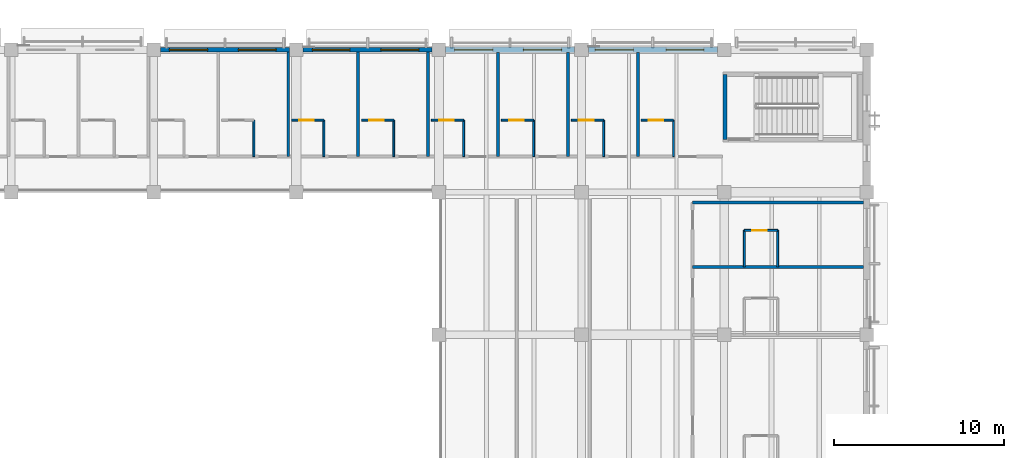
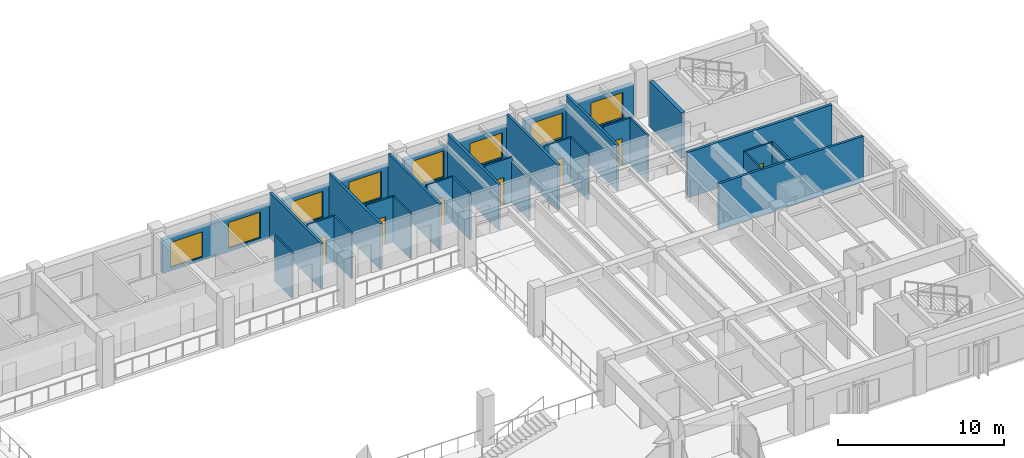
# One storey, part 82 of 118: 29 walls, 8 windows, 7 doors, 15 openings.
"""IFC4 building model written with IfcOpenShell, lengths in metres."""

from ifc_helpers import new_model, si_unit, direction, frame, frame_2d, origin, place, context, subcontext, project, spatial, rectangle, extrude, material, layer, layer_set, type_object, element, fill, save


model = new_model("IFC4")

# Units and contexts
model_context = context("Model", 3, precision=1e-05, world=origin(), true_north=direction((0.0, 1.0)))
body_context = subcontext(model_context, "Body", "Model", "MODEL_VIEW")
ifc_project = project(units=[si_unit("LENGTHUNIT", "METRE"), si_unit("AREAUNIT", "SQUARE_METRE"), si_unit("VOLUMEUNIT", "CUBIC_METRE"), si_unit("PLANEANGLEUNIT", "RADIAN"), si_unit("MASSUNIT", "GRAM", prefix="KILO")], contexts=[model_context])

# Site, building, storey
site_placement = place(None, origin())
site = spatial("IfcSite", under=ifc_project, at=site_placement, CompositionType="ELEMENT")
building_placement = place(site_placement, origin())
building = spatial("IfcBuilding", under=site, at=building_placement, Name="Cumbredor Promenade Congress Hotel", CompositionType="ELEMENT")
storey_placement = place(building_placement, frame((0.0, 0.0, 3.919921875)))
storey = spatial("IfcBuildingStorey", under=building, at=storey_placement, Name="L01", CompositionType="ELEMENT", Elevation=3.919921875)

# Wall
ifc_material_1 = material(Name="Moisture-resistant gypsum board on steel studs", Category="steel")
ifc_layer_1 = layer(ifc_material_1, 0.114990234375, Name="Moisture-resistant gypsum board on steel studs", Category="steel")
ifc_layer_set_1 = layer_set([ifc_layer_1], Name="Moisture-resistant gypsum board on steel studs")
wall_type_1 = type_object("IfcWallType", Name="WL-BATH-115", PredefinedType="PARTITIONING", material=ifc_layer_set_1)
wall_1_placement = place(storey_placement, frame((140.300048828125, 111.300048828125, 0.0), z_axis=(0.0, 0.0, 1.0), x_axis=(0.0, 1.0, 0.0)))
element("IfcWall", 1, at=wall_1_placement, inside=storey, type_object=wall_type_1, Name="L01 Interior Partition W-L01-FBV-F0106", PredefinedType="PARTITIONING", context=body_context, shape_type="SweptSolid", body=[
    extrude(rectangle(XDim=2.14990234375, YDim=0.114990234375, at=frame_2d((1.074951171875, 0.0))), origin(), (0.0, 0.0, 1.0), 3.360107421875),
])

# Wall, opening, door
wall_2_placement = place(storey_placement, frame((142.52001953125, 113.449951171875, 0.0), z_axis=(0.0, 0.0, 1.0), x_axis=(1.0, 0.0, 0.0)))
wall_2 = element("IfcWall", 2, at=wall_2_placement, inside=storey, type_object=wall_type_1, Name="L01 Interior Partition W-L01-FBH-F0107", PredefinedType="PARTITIONING", context=body_context, shape_type="SweptSolid", body=[
    extrude(rectangle(XDim=1.89990234375, YDim=0.114990234375, at=frame_2d((0.949951171875, 0.0))), origin(), (0.0, 0.0, 1.0), 3.360107421875),
])
opening_1_placement = place(wall_2_placement, frame((0.449951171875, 0.0, 0.0)))
opening_1 = element("IfcOpeningElement", 3, at=opening_1_placement, cuts=wall_2, Name="Opening ID-01", PredefinedType="OPENING", context=body_context, shape_type="SweptSolid", body=[
    extrude(rectangle(XDim=0.860107421875, YDim=2.050048828125, at=frame_2d((0.43017578125, 1.02490234375))), frame((0.0, 0.0673828125, 0.0), z_axis=(0.0, -1.0, 0.0), x_axis=(1.0, 0.0, 0.0)), (0.0, 0.0, 1.0), 0.135009765625),
])
ifc_material_2 = material(Name="Kiln-dried tropical hardwood", Category="wood")
door_type = type_object("IfcDoorType", Name="DR-BATH-860", OperationType="NOTDEFINED", PredefinedType="DOOR", material=ifc_material_2)
door_1_placement = place(opening_1_placement, origin())
door_1 = element("IfcDoor", 4, at=door_1_placement, inside=storey, type_object=door_type, Name="L01 Interior Door W-L01-FBH-F0107-01", OperationType="SINGLE_SWING_LEFT", OverallHeight=2.050048828125, OverallWidth=0.860107421875, PredefinedType="DOOR", context=body_context, shape_type="SweptSolid", body=[
    extrude(rectangle(XDim=0.860107421875, YDim=2.050048828125, at=frame_2d((0.43017578125, 1.02490234375))), frame((0.0, 0.02490234375, 0.0), z_axis=(0.0, -1.0, 0.0), x_axis=(1.0, 0.0, 0.0)), (0.0, 0.0, 1.0), 0.050048828125),
])
fill(opening_1, door_1)

# Wall
wall_3_placement = place(storey_placement, frame((144.419921875, 111.300048828125, 0.0), z_axis=(0.0, 0.0, 1.0), x_axis=(0.0, 1.0, 0.0)))
element("IfcWall", 5, at=wall_3_placement, inside=storey, type_object=wall_type_1, Name="L01 Interior Partition W-L01-FBV-F0107", PredefinedType="PARTITIONING", context=body_context, shape_type="SweptSolid", body=[
    extrude(rectangle(XDim=2.14990234375, YDim=0.114990234375, at=frame_2d((1.074951171875, 0.0))), origin(), (0.0, 0.0, 1.0), 3.360107421875),
])

# Wall, opening, door
wall_4_placement = place(storey_placement, frame((146.639892578125, 113.449951171875, 0.0), z_axis=(0.0, 0.0, 1.0), x_axis=(1.0, 0.0, 0.0)))
wall_4 = element("IfcWall", 6, at=wall_4_placement, inside=storey, type_object=wall_type_1, Name="L01 Interior Partition W-L01-FBH-F0108", PredefinedType="PARTITIONING", context=body_context, shape_type="SweptSolid", body=[
    extrude(rectangle(XDim=1.900146484375, YDim=0.114990234375, at=frame_2d((0.9501953125, 0.0))), origin(), (0.0, 0.0, 1.0), 3.360107421875),
])
opening_2_placement = place(wall_4_placement, frame((0.449951171875, 0.0, 0.0)))
opening_2 = element("IfcOpeningElement", 7, at=opening_2_placement, cuts=wall_4, Name="Opening ID-01", PredefinedType="OPENING", context=body_context, shape_type="SweptSolid", body=[
    extrude(rectangle(XDim=0.860107421875, YDim=2.050048828125, at=frame_2d((0.43017578125, 1.02490234375))), frame((0.0, 0.0673828125, 0.0), z_axis=(0.0, -1.0, 0.0), x_axis=(1.0, 0.0, 0.0)), (0.0, 0.0, 1.0), 0.135009765625),
])
door_2_placement = place(opening_2_placement, origin())
door_2 = element("IfcDoor", 8, at=door_2_placement, inside=storey, type_object=door_type, Name="L01 Interior Door W-L01-FBH-F0108-01", OperationType="SINGLE_SWING_RIGHT", OverallHeight=2.050048828125, OverallWidth=0.860107421875, PredefinedType="DOOR", context=body_context, shape_type="SweptSolid", body=[
    extrude(rectangle(XDim=0.860107421875, YDim=2.050048828125, at=frame_2d((0.43017578125, 1.02490234375))), frame((0.0, 0.02490234375, 0.0), z_axis=(0.0, -1.0, 0.0), x_axis=(1.0, 0.0, 0.0)), (0.0, 0.0, 1.0), 0.050048828125),
])
fill(opening_2, door_2)

# Wall
wall_5_placement = place(storey_placement, frame((148.5400390625, 111.300048828125, 0.0), z_axis=(0.0, 0.0, 1.0), x_axis=(0.0, 1.0, 0.0)))
element("IfcWall", 9, at=wall_5_placement, inside=storey, type_object=wall_type_1, Name="L01 Interior Partition W-L01-FBV-F0108", PredefinedType="PARTITIONING", context=body_context, shape_type="SweptSolid", body=[
    extrude(rectangle(XDim=2.14990234375, YDim=0.114990234375, at=frame_2d((1.074951171875, 0.0))), origin(), (0.0, 0.0, 1.0), 3.360107421875),
])

# Wall, opening, door
wall_6_placement = place(storey_placement, frame((150.760009765625, 113.449951171875, 0.0), z_axis=(0.0, 0.0, 1.0), x_axis=(1.0, 0.0, 0.0)))
wall_6 = element("IfcWall", 10, at=wall_6_placement, inside=storey, type_object=wall_type_1, Name="L01 Interior Partition W-L01-FBH-F0109", PredefinedType="PARTITIONING", context=body_context, shape_type="SweptSolid", body=[
    extrude(rectangle(XDim=1.89990234375, YDim=0.114990234375, at=frame_2d((0.949951171875, 0.0))), origin(), (0.0, 0.0, 1.0), 3.360107421875),
])
opening_3_placement = place(wall_6_placement, frame((0.449951171875, 0.0, 0.0)))
opening_3 = element("IfcOpeningElement", 11, at=opening_3_placement, cuts=wall_6, Name="Opening ID-01", PredefinedType="OPENING", context=body_context, shape_type="SweptSolid", body=[
    extrude(rectangle(XDim=0.860107421875, YDim=2.050048828125, at=frame_2d((0.43017578125, 1.02490234375))), frame((0.0, 0.0673828125, 0.0), z_axis=(0.0, -1.0, 0.0), x_axis=(1.0, 0.0, 0.0)), (0.0, 0.0, 1.0), 0.135009765625),
])
door_3_placement = place(opening_3_placement, origin())
door_3 = element("IfcDoor", 12, at=door_3_placement, inside=storey, type_object=door_type, Name="L01 Interior Door W-L01-FBH-F0109-01", OperationType="SINGLE_SWING_LEFT", OverallHeight=2.050048828125, OverallWidth=0.860107421875, PredefinedType="DOOR", context=body_context, shape_type="SweptSolid", body=[
    extrude(rectangle(XDim=0.860107421875, YDim=2.050048828125, at=frame_2d((0.43017578125, 1.02490234375))), frame((0.0, 0.02490234375, 0.0), z_axis=(0.0, -1.0, 0.0), x_axis=(1.0, 0.0, 0.0)), (0.0, 0.0, 1.0), 0.050048828125),
])
fill(opening_3, door_3)

# Wall
wall_7_placement = place(storey_placement, frame((152.659912109375, 111.300048828125, 0.0), z_axis=(0.0, 0.0, 1.0), x_axis=(0.0, 1.0, 0.0)))
element("IfcWall", 13, at=wall_7_placement, inside=storey, type_object=wall_type_1, Name="L01 Interior Partition W-L01-FBV-F0109", PredefinedType="PARTITIONING", context=body_context, shape_type="SweptSolid", body=[
    extrude(rectangle(XDim=2.14990234375, YDim=0.114990234375, at=frame_2d((1.074951171875, 0.0))), origin(), (0.0, 0.0, 1.0), 3.360107421875),
])

# Wall, opening, door
wall_8_placement = place(storey_placement, frame((154.8798828125, 113.449951171875, 0.0), z_axis=(0.0, 0.0, 1.0), x_axis=(1.0, 0.0, 0.0)))
wall_8 = element("IfcWall", 14, at=wall_8_placement, inside=storey, type_object=wall_type_1, Name="L01 Interior Partition W-L01-FBH-F0110", PredefinedType="PARTITIONING", context=body_context, shape_type="SweptSolid", body=[
    extrude(rectangle(XDim=1.900146484375, YDim=0.114990234375, at=frame_2d((0.9501953125, 0.0))), origin(), (0.0, 0.0, 1.0), 3.360107421875),
])
opening_4_placement = place(wall_8_placement, frame((0.449951171875, 0.0, 0.0)))
opening_4 = element("IfcOpeningElement", 15, at=opening_4_placement, cuts=wall_8, Name="Opening ID-01", PredefinedType="OPENING", context=body_context, shape_type="SweptSolid", body=[
    extrude(rectangle(XDim=0.860107421875, YDim=2.050048828125, at=frame_2d((0.43017578125, 1.02490234375))), frame((0.0, 0.0673828125, 0.0), z_axis=(0.0, -1.0, 0.0), x_axis=(1.0, 0.0, 0.0)), (0.0, 0.0, 1.0), 0.135009765625),
])
door_4_placement = place(opening_4_placement, origin())
door_4 = element("IfcDoor", 16, at=door_4_placement, inside=storey, type_object=door_type, Name="L01 Interior Door W-L01-FBH-F0110-01", OperationType="SINGLE_SWING_RIGHT", OverallHeight=2.050048828125, OverallWidth=0.860107421875, PredefinedType="DOOR", context=body_context, shape_type="SweptSolid", body=[
    extrude(rectangle(XDim=0.860107421875, YDim=2.050048828125, at=frame_2d((0.43017578125, 1.02490234375))), frame((0.0, 0.02490234375, 0.0), z_axis=(0.0, -1.0, 0.0), x_axis=(1.0, 0.0, 0.0)), (0.0, 0.0, 1.0), 0.050048828125),
])
fill(opening_4, door_4)

# Wall
wall_9_placement = place(storey_placement, frame((156.780029296875, 111.300048828125, 0.0), z_axis=(0.0, 0.0, 1.0), x_axis=(0.0, 1.0, 0.0)))
element("IfcWall", 17, at=wall_9_placement, inside=storey, type_object=wall_type_1, Name="L01 Interior Partition W-L01-FBV-F0110", PredefinedType="PARTITIONING", context=body_context, shape_type="SweptSolid", body=[
    extrude(rectangle(XDim=2.14990234375, YDim=0.114990234375, at=frame_2d((1.074951171875, 0.0))), origin(), (0.0, 0.0, 1.0), 3.0419921875),
])

# Wall, opening, door
wall_10_placement = place(storey_placement, frame((159.0, 113.449951171875, 0.0), z_axis=(0.0, 0.0, 1.0), x_axis=(1.0, 0.0, 0.0)))
wall_10 = element("IfcWall", 18, at=wall_10_placement, inside=storey, type_object=wall_type_1, Name="L01 Interior Partition W-L01-FBH-F0111", PredefinedType="PARTITIONING", context=body_context, shape_type="SweptSolid", body=[
    extrude(rectangle(XDim=1.89990234375, YDim=0.114990234375, at=frame_2d((0.949951171875, 0.0))), origin(), (0.0, 0.0, 1.0), 3.360107421875),
])
opening_5_placement = place(wall_10_placement, frame((0.449951171875, 0.0, 0.0)))
opening_5 = element("IfcOpeningElement", 19, at=opening_5_placement, cuts=wall_10, Name="Opening ID-01", PredefinedType="OPENING", context=body_context, shape_type="SweptSolid", body=[
    extrude(rectangle(XDim=0.860107421875, YDim=2.050048828125, at=frame_2d((0.43017578125, 1.02490234375))), frame((0.0, 0.0673828125, 0.0), z_axis=(0.0, -1.0, 0.0), x_axis=(1.0, 0.0, 0.0)), (0.0, 0.0, 1.0), 0.135009765625),
])
door_5_placement = place(opening_5_placement, origin())
door_5 = element("IfcDoor", 20, at=door_5_placement, inside=storey, type_object=door_type, Name="L01 Interior Door W-L01-FBH-F0111-01", OperationType="SINGLE_SWING_LEFT", OverallHeight=2.050048828125, OverallWidth=0.860107421875, PredefinedType="DOOR", context=body_context, shape_type="SweptSolid", body=[
    extrude(rectangle(XDim=0.860107421875, YDim=2.050048828125, at=frame_2d((0.43017578125, 1.02490234375))), frame((0.0, 0.02490234375, 0.0), z_axis=(0.0, -1.0, 0.0), x_axis=(1.0, 0.0, 0.0)), (0.0, 0.0, 1.0), 0.050048828125),
])
fill(opening_5, door_5)

# Wall
wall_11_placement = place(storey_placement, frame((160.89990234375, 111.300048828125, 0.0), z_axis=(0.0, 0.0, 1.0), x_axis=(0.0, 1.0, 0.0)))
element("IfcWall", 21, at=wall_11_placement, inside=storey, type_object=wall_type_1, Name="L01 Interior Partition W-L01-FBV-F0111", PredefinedType="PARTITIONING", context=body_context, shape_type="SweptSolid", body=[
    extrude(rectangle(XDim=2.14990234375, YDim=0.114990234375, at=frame_2d((1.074951171875, 0.0))), origin(), (0.0, 0.0, 1.0), 3.360107421875),
])

# Wall, opening, door
wall_12_placement = place(storey_placement, frame((163.1201171875, 113.449951171875, 0.0), z_axis=(0.0, 0.0, 1.0), x_axis=(1.0, 0.0, 0.0)))
wall_12 = element("IfcWall", 22, at=wall_12_placement, inside=storey, type_object=wall_type_1, Name="L01 Interior Partition W-L01-FBH-F0112", PredefinedType="PARTITIONING", context=body_context, shape_type="SweptSolid", body=[
    extrude(rectangle(XDim=1.89990234375, YDim=0.114990234375, at=frame_2d((0.949951171875, 0.0))), origin(), (0.0, 0.0, 1.0), 3.360107421875),
])
opening_6_placement = place(wall_12_placement, frame((0.449951171875, 0.0, 0.0)))
opening_6 = element("IfcOpeningElement", 23, at=opening_6_placement, cuts=wall_12, Name="Opening ID-01", PredefinedType="OPENING", context=body_context, shape_type="SweptSolid", body=[
    extrude(rectangle(XDim=0.860107421875, YDim=2.050048828125, at=frame_2d((0.43017578125, 1.02490234375))), frame((0.0, 0.0673828125, 0.0), z_axis=(0.0, -1.0, 0.0), x_axis=(1.0, 0.0, 0.0)), (0.0, 0.0, 1.0), 0.135009765625),
])
door_6_placement = place(opening_6_placement, origin())
door_6 = element("IfcDoor", 24, at=door_6_placement, inside=storey, type_object=door_type, Name="L01 Interior Door W-L01-FBH-F0112-01", OperationType="SINGLE_SWING_RIGHT", OverallHeight=2.050048828125, OverallWidth=0.860107421875, PredefinedType="DOOR", context=body_context, shape_type="SweptSolid", body=[
    extrude(rectangle(XDim=0.860107421875, YDim=2.050048828125, at=frame_2d((0.43017578125, 1.02490234375))), frame((0.0, 0.02490234375, 0.0), z_axis=(0.0, -1.0, 0.0), x_axis=(1.0, 0.0, 0.0)), (0.0, 0.0, 1.0), 0.050048828125),
])
fill(opening_6, door_6)

# Wall
wall_13_placement = place(storey_placement, frame((165.02001953125, 111.300048828125, 0.0), z_axis=(0.0, 0.0, 1.0), x_axis=(0.0, 1.0, 0.0)))
element("IfcWall", 25, at=wall_13_placement, inside=storey, type_object=wall_type_1, Name="L01 Interior Partition W-L01-FBV-F0112", PredefinedType="PARTITIONING", context=body_context, shape_type="SweptSolid", body=[
    extrude(rectangle(XDim=2.14990234375, YDim=0.114990234375, at=frame_2d((1.074951171875, 0.0))), origin(), (0.0, 0.0, 1.0), 3.360107421875),
])

# Wall, opening, door
wall_14_placement = place(storey_placement, frame((169.199951171875, 106.949951171875, 0.0), z_axis=(0.0, 0.0, 1.0), x_axis=(1.0, 0.0, 0.0)))
wall_14 = element("IfcWall", 26, at=wall_14_placement, inside=storey, type_object=wall_type_1, Name="L01 Interior Partition W-L01-FEBH-E0103", PredefinedType="PARTITIONING", context=body_context, shape_type="SweptSolid", body=[
    extrude(rectangle(XDim=1.949951171875, YDim=0.114990234375, at=frame_2d((0.97509765625, 0.0))), origin(), (0.0, 0.0, 1.0), 3.360107421875),
])
opening_7_placement = place(wall_14_placement, frame((0.449951171875, 0.0, 0.0)))
opening_7 = element("IfcOpeningElement", 27, at=opening_7_placement, cuts=wall_14, Name="Opening ID-01", PredefinedType="OPENING", context=body_context, shape_type="SweptSolid", body=[
    extrude(rectangle(XDim=0.860107421875, YDim=2.050048828125, at=frame_2d((0.43017578125, 1.02490234375))), frame((0.0, 0.0673828125, 0.0), z_axis=(0.0, -1.0, 0.0), x_axis=(1.0, 0.0, 0.0)), (0.0, 0.0, 1.0), 0.135009765625),
])
door_7_placement = place(opening_7_placement, origin())
door_7 = element("IfcDoor", 28, at=door_7_placement, inside=storey, type_object=door_type, Name="L01 Interior Door W-L01-FEBH-E0103-01", OperationType="SINGLE_SWING_LEFT", OverallHeight=2.050048828125, OverallWidth=0.860107421875, PredefinedType="DOOR", context=body_context, shape_type="SweptSolid", body=[
    extrude(rectangle(XDim=0.860107421875, YDim=2.050048828125, at=frame_2d((0.43017578125, 1.02490234375))), frame((0.0, 0.02490234375, 0.0), z_axis=(0.0, -1.0, 0.0), x_axis=(1.0, 0.0, 0.0)), (0.0, 0.0, 1.0), 0.050048828125),
])
fill(opening_7, door_7)

# Walls
for number, where, z_axis, x_axis, name in (
    (29, (169.199951171875, 104.800048828125, 0.0), (0.0, 0.0, 1.0), (0.0, 1.0, 0.0), "L01 Interior Partition W-L01-FEBV1-E0103"),
    (30, (171.14990234375, 104.800048828125, 0.0), (0.0, 0.0, 1.0), (0.0, 1.0, 0.0), "L01 Interior Partition W-L01-FEBV2-E0103"),
):
    element("IfcWall", number, at=place(storey_placement, frame(where, z_axis=z_axis, x_axis=x_axis)), inside=storey, type_object=wall_type_1, Name=name, PredefinedType="PARTITIONING", context=body_context, shape_type="SweptSolid", body=[
        extrude(rectangle(XDim=2.14990234375, YDim=0.114990234375, at=frame_2d((1.074951171875, 0.0))), origin(), (0.0, 0.0, 1.0), 3.360107421875),
    ])
ifc_material_3 = material(Name="Fire-rated hotel corridor wall")
ifc_layer_2 = layer(ifc_material_3, 0.179931640625, Name="Fire-rated hotel corridor wall")
ifc_layer_set_2 = layer_set([ifc_layer_2], Name="Fire-rated hotel corridor wall")
wall_type_2 = type_object("IfcWallType", Name="WL-CORR-180", PredefinedType="PARTITIONING", material=ifc_layer_set_2)
wall_15_placement = place(storey_placement, frame((166.14990234375, 108.60009765625, 0.0), z_axis=(0.0, 0.0, 1.0), x_axis=(1.0, 0.0, 0.0)))
element("IfcWall", 31, at=wall_15_placement, inside=storey, type_object=wall_type_2, Name="L01 Interior Partition W-L01-FECORRN", PredefinedType="PARTITIONING", context=body_context, shape_type="SweptSolid", body=[
    extrude(rectangle(XDim=10.06005859375, YDim=0.179931640625, at=frame_2d((5.030029296875, 0.0))), origin(), (0.0, 0.0, 1.0), 3.360107421875),
])

# Wall, openings, windows
ifc_material_4 = material(Name="Concrete C40/50", Category="concrete")
ifc_layer_3 = layer(ifc_material_4, 0.260009765625, Name="Concrete C40/50", Category="concrete")
ifc_layer_set_3 = layer_set([ifc_layer_3], Name="Concrete C40/50")
wall_type_3 = type_object("IfcWallType", Name="WL-EXT-260", PredefinedType="SOLIDWALL", material=ifc_layer_set_3)
wall_16_placement = place(storey_placement, frame((134.801025390625, 117.60009765625, 0.0), z_axis=(0.0, 0.0, 1.0), x_axis=(1.0, 0.0, 0.0)))
wall_16 = element("IfcWall", 32, at=wall_16_placement, inside=storey, type_object=wall_type_3, Name="L01 Pre-Function and Breakout Meeting Forum North Envelope Wall 6", PredefinedType="SOLIDWALL", context=body_context, shape_type="SweptSolid", body=[
    extrude(rectangle(XDim=7.597900390625, YDim=0.260009765625, at=frame_2d((3.798828125, 0.0))), origin(), (0.0, 0.0, 1.0), 2.445068359375),
])
opening_8_placement = place(wall_16_placement, frame((0.52392578125, 0.0, 0.25)))
opening_8 = element("IfcOpeningElement", 33, at=opening_8_placement, cuts=wall_16, Name="Opening WN-01", PredefinedType="OPENING", context=body_context, shape_type="SweptSolid", body=[
    extrude(rectangle(XDim=2.25, YDim=1.85009765625, at=frame_2d((1.125, 0.925048828125))), frame((0.0, 0.14013671875, 0.0), z_axis=(0.0, -1.0, 0.0), x_axis=(1.0, 0.0, 0.0)), (0.0, 0.0, 1.0), 0.280029296875),
])
opening_9_placement = place(wall_16_placement, frame((4.589111328125, 0.0, 0.25)))
opening_9 = element("IfcOpeningElement", 34, at=opening_9_placement, cuts=wall_16, Name="Opening WN-35", PredefinedType="OPENING", context=body_context, shape_type="SweptSolid", body=[
    extrude(rectangle(XDim=2.219970703125, YDim=1.89990234375, at=frame_2d((1.10986328125, 0.949951171875))), frame((0.0, 0.14013671875, 0.0), z_axis=(0.0, -1.0, 0.0), x_axis=(1.0, 0.0, 0.0)), (0.0, 0.0, 1.0), 0.280029296875),
])
ifc_material_5 = material(Name="Thermally broken anodized aluminium and low-E glass", Category="aluminium")
window_type_1 = type_object("IfcWindowType", Name="Hospitality Floor-to-Ceiling Window WN-01 2250x1850", PartitioningType="DOUBLE_PANEL_VERTICAL", PredefinedType="WINDOW", material=ifc_material_5)
window_1_placement = place(opening_8_placement, origin())
window_1 = element("IfcWindow", 35, at=window_1_placement, inside=storey, type_object=window_type_1, Name="L01 Wide Hospitality Window 0167", OverallHeight=1.85009765625, OverallWidth=2.25, PartitioningType="DOUBLE_PANEL_VERTICAL", PredefinedType="WINDOW", context=body_context, shape_type="SweptSolid", body=[
    extrude(rectangle(XDim=2.25, YDim=1.85009765625, at=frame_2d((1.125, 0.925048828125))), frame((0.0, 0.030029296875, 0.0), z_axis=(0.0, -1.0, 0.0), x_axis=(1.0, 0.0, 0.0)), (0.0, 0.0, 1.0), 0.06005859375),
])
fill(opening_8, window_1)
window_type_2 = type_object("IfcWindowType", Name="Hospitality Floor-to-Ceiling Window WN-35 2220x1900", PartitioningType="DOUBLE_PANEL_VERTICAL", PredefinedType="WINDOW", material=ifc_material_5)
window_2_placement = place(opening_9_placement, origin())
window_2 = element("IfcWindow", 36, at=window_2_placement, inside=storey, type_object=window_type_2, Name="L01 Wide Hospitality Window 0168", OverallHeight=1.89990234375, OverallWidth=2.219970703125, PartitioningType="DOUBLE_PANEL_VERTICAL", PredefinedType="WINDOW", context=body_context, shape_type="SweptSolid", body=[
    extrude(rectangle(XDim=2.219970703125, YDim=1.89990234375, at=frame_2d((1.10986328125, 0.949951171875))), frame((0.0, 0.030029296875, 0.0), z_axis=(0.0, -1.0, 0.0), x_axis=(1.0, 0.0, 0.0)), (0.0, 0.0, 1.0), 0.06005859375),
])
fill(opening_9, window_2)

ifc_layer_4 = layer(ifc_material_4, 0.280029296875, Name="Concrete C40/50", Category="concrete")
ifc_layer_set_4 = layer_set([ifc_layer_4], Name="Concrete C40/50")
wall_type_4 = type_object("IfcWallType", Name="WL-EXT-280", PredefinedType="SOLIDWALL", material=ifc_layer_set_4)
wall_17_placement = place(storey_placement, frame((143.200927734375, 117.60009765625, 0.0), z_axis=(0.0, 0.0, 1.0), x_axis=(1.0, 0.0, 0.0)))
wall_17 = element("IfcWall", 37, at=wall_17_placement, inside=storey, type_object=wall_type_4, Name="L01 Pre-Function and Breakout Meeting Forum North Envelope Wall 7", PredefinedType="SOLIDWALL", context=body_context, shape_type="SweptSolid", body=[
    extrude(rectangle(XDim=7.59814453125, YDim=0.280029296875, at=frame_2d((3.799072265625, 0.0))), origin(), (0.0, 0.0, 1.0), 2.445068359375),
])
opening_10_placement = place(wall_17_placement, frame((0.5390625, 0.0, 0.25)))
opening_10 = element("IfcOpeningElement", 38, at=opening_10_placement, cuts=wall_17, Name="Opening WN-35", PredefinedType="OPENING", context=body_context, shape_type="SweptSolid", body=[
    extrude(rectangle(XDim=2.219970703125, YDim=1.89990234375, at=frame_2d((1.10986328125, 0.949951171875))), frame((0.0, 0.14990234375, 0.0), z_axis=(0.0, -1.0, 0.0), x_axis=(1.0, 0.0, 0.0)), (0.0, 0.0, 1.0), 0.300048828125),
])
opening_11_placement = place(wall_17_placement, frame((4.573974609375, 0.0, 0.25)))
opening_11 = element("IfcOpeningElement", 39, at=opening_11_placement, cuts=wall_17, Name="Opening WN-07", PredefinedType="OPENING", context=body_context, shape_type="SweptSolid", body=[
    extrude(rectangle(XDim=2.25, YDim=1.949951171875, at=frame_2d((1.125, 0.97509765625))), frame((0.0, 0.14990234375, 0.0), z_axis=(0.0, -1.0, 0.0), x_axis=(1.0, 0.0, 0.0)), (0.0, 0.0, 1.0), 0.300048828125),
])
window_type_3 = type_object("IfcWindowType", Name="Hospitality Floor-to-Ceiling Window WN-07 2250x1950", PartitioningType="DOUBLE_PANEL_VERTICAL", PredefinedType="WINDOW", material=ifc_material_5)
window_3_placement = place(opening_11_placement, origin())
window_3 = element("IfcWindow", 40, at=window_3_placement, inside=storey, type_object=window_type_3, Name="L01 Wide Hospitality Window 0170", OverallHeight=1.949951171875, OverallWidth=2.25, PartitioningType="DOUBLE_PANEL_VERTICAL", PredefinedType="WINDOW", context=body_context, shape_type="SweptSolid", body=[
    extrude(rectangle(XDim=2.25, YDim=1.949951171875, at=frame_2d((1.125, 0.97509765625))), frame((0.0, 0.030029296875, 0.0), z_axis=(0.0, -1.0, 0.0), x_axis=(1.0, 0.0, 0.0)), (0.0, 0.0, 1.0), 0.06005859375),
])
fill(opening_11, window_3)
window_4_placement = place(opening_10_placement, origin())
window_4 = element("IfcWindow", 41, at=window_4_placement, inside=storey, type_object=window_type_2, Name="L01 Wide Hospitality Window 0169", OverallHeight=1.89990234375, OverallWidth=2.219970703125, PartitioningType="DOUBLE_PANEL_VERTICAL", PredefinedType="WINDOW", context=body_context, shape_type="SweptSolid", body=[
    extrude(rectangle(XDim=2.219970703125, YDim=1.89990234375, at=frame_2d((1.10986328125, 0.949951171875))), frame((0.0, 0.030029296875, 0.0), z_axis=(0.0, -1.0, 0.0), x_axis=(1.0, 0.0, 0.0)), (0.0, 0.0, 1.0), 0.06005859375),
])
fill(opening_10, window_4)

ifc_layer_5 = layer(ifc_material_4, 0.300048828125, Name="Concrete C40/50", Category="concrete")
ifc_layer_set_5 = layer_set([ifc_layer_5], Name="Concrete C40/50")
wall_type_5 = type_object("IfcWallType", Name="WL-EXT-300", PredefinedType="SOLIDWALL", material=ifc_layer_set_5)
wall_18_placement = place(storey_placement, frame((151.60107421875, 117.60009765625, 0.0), z_axis=(0.0, 0.0, 1.0), x_axis=(1.0, 0.0, 0.0)))
wall_18 = element("IfcWall", 42, at=wall_18_placement, inside=storey, type_object=wall_type_5, Name="L01 Pre-Function and Breakout Meeting Forum North Envelope Wall 8", PredefinedType="SOLIDWALL", context=body_context, shape_type="SweptSolid", body=[
    extrude(rectangle(XDim=7.597900390625, YDim=0.300048828125, at=frame_2d((3.798828125, 0.0))), origin(), (0.0, 0.0, 1.0), 2.445068359375),
])
opening_12_placement = place(wall_18_placement, frame((0.52392578125, 0.0, 0.25)))
opening_12 = element("IfcOpeningElement", 43, at=opening_12_placement, cuts=wall_18, Name="Opening WN-07", PredefinedType="OPENING", context=body_context, shape_type="SweptSolid", body=[
    extrude(rectangle(XDim=2.25, YDim=1.949951171875, at=frame_2d((1.125, 0.97509765625))), frame((0.0, 0.16015625, 0.0), z_axis=(0.0, -1.0, 0.0), x_axis=(1.0, 0.0, 0.0)), (0.0, 0.0, 1.0), 0.320068359375),
])
opening_13_placement = place(wall_18_placement, frame((4.573974609375, 0.0, 0.25)))
opening_13 = element("IfcOpeningElement", 44, at=opening_13_placement, cuts=wall_18, Name="Opening WN-01", PredefinedType="OPENING", context=body_context, shape_type="SweptSolid", body=[
    extrude(rectangle(XDim=2.25, YDim=1.85009765625, at=frame_2d((1.125, 0.925048828125))), frame((0.0, 0.16015625, 0.0), z_axis=(0.0, -1.0, 0.0), x_axis=(1.0, 0.0, 0.0)), (0.0, 0.0, 1.0), 0.320068359375),
])
window_5_placement = place(opening_13_placement, origin())
window_5 = element("IfcWindow", 45, at=window_5_placement, inside=storey, type_object=window_type_1, Name="L01 Wide Hospitality Window 0172", OverallHeight=1.85009765625, OverallWidth=2.25, PartitioningType="DOUBLE_PANEL_VERTICAL", PredefinedType="WINDOW", context=body_context, shape_type="SweptSolid", body=[
    extrude(rectangle(XDim=2.25, YDim=1.85009765625, at=frame_2d((1.125, 0.925048828125))), frame((0.0, 0.030029296875, 0.0), z_axis=(0.0, -1.0, 0.0), x_axis=(1.0, 0.0, 0.0)), (0.0, 0.0, 1.0), 0.06005859375),
])
fill(opening_13, window_5)
window_6_placement = place(opening_12_placement, origin())
window_6 = element("IfcWindow", 46, at=window_6_placement, inside=storey, type_object=window_type_3, Name="L01 Wide Hospitality Window 0171", OverallHeight=1.949951171875, OverallWidth=2.25, PartitioningType="DOUBLE_PANEL_VERTICAL", PredefinedType="WINDOW", context=body_context, shape_type="SweptSolid", body=[
    extrude(rectangle(XDim=2.25, YDim=1.949951171875, at=frame_2d((1.125, 0.97509765625))), frame((0.0, 0.030029296875, 0.0), z_axis=(0.0, -1.0, 0.0), x_axis=(1.0, 0.0, 0.0)), (0.0, 0.0, 1.0), 0.06005859375),
])
fill(opening_12, window_6)

ifc_layer_6 = layer(ifc_material_4, 0.324951171875, Name="Concrete C40/50", Category="concrete")
ifc_layer_set_6 = layer_set([ifc_layer_6], Name="Concrete C40/50")
wall_type_6 = type_object("IfcWallType", Name="WL-EXT-325", PredefinedType="SOLIDWALL", material=ifc_layer_set_6)
wall_19_placement = place(storey_placement, frame((160.0009765625, 117.60009765625, 0.0), z_axis=(0.0, 0.0, 1.0), x_axis=(1.0, 0.0, 0.0)))
wall_19 = element("IfcWall", 47, at=wall_19_placement, inside=storey, type_object=wall_type_6, Name="L01 Pre-Function and Breakout Meeting Forum North Envelope Wall 9", PredefinedType="SOLIDWALL", context=body_context, shape_type="SweptSolid", body=[
    extrude(rectangle(XDim=7.59814453125, YDim=0.324951171875, at=frame_2d((3.799072265625, 0.0))), origin(), (0.0, 0.0, 1.0), 2.445068359375),
])
opening_14_placement = place(wall_19_placement, frame((0.404052734375, 0.0, 0.25)))
opening_14 = element("IfcOpeningElement", 48, at=opening_14_placement, cuts=wall_19, Name="Opening WN-01", PredefinedType="OPENING", context=body_context, shape_type="SweptSolid", body=[
    extrude(rectangle(XDim=2.25, YDim=1.85009765625, at=frame_2d((1.125, 0.925048828125))), frame((0.0, 0.17236328125, 0.0), z_axis=(0.0, -1.0, 0.0), x_axis=(1.0, 0.0, 0.0)), (0.0, 0.0, 1.0), 0.344970703125),
])
opening_15_placement = place(wall_19_placement, frame((4.589111328125, 0.0, 0.25)))
opening_15 = element("IfcOpeningElement", 49, at=opening_15_placement, cuts=wall_19, Name="Opening WN-35", PredefinedType="OPENING", context=body_context, shape_type="SweptSolid", body=[
    extrude(rectangle(XDim=2.219970703125, YDim=1.89990234375, at=frame_2d((1.10986328125, 0.949951171875))), frame((0.0, 0.17236328125, 0.0), z_axis=(0.0, -1.0, 0.0), x_axis=(1.0, 0.0, 0.0)), (0.0, 0.0, 1.0), 0.344970703125),
])
window_7_placement = place(opening_14_placement, origin())
window_7 = element("IfcWindow", 50, at=window_7_placement, inside=storey, type_object=window_type_1, Name="L01 Wide Hospitality Window 0173", OverallHeight=1.85009765625, OverallWidth=2.25, PartitioningType="DOUBLE_PANEL_VERTICAL", PredefinedType="WINDOW", context=body_context, shape_type="SweptSolid", body=[
    extrude(rectangle(XDim=2.25, YDim=1.85009765625, at=frame_2d((1.125, 0.925048828125))), frame((0.0, 0.030029296875, 0.0), z_axis=(0.0, -1.0, 0.0), x_axis=(1.0, 0.0, 0.0)), (0.0, 0.0, 1.0), 0.06005859375),
])
fill(opening_14, window_7)
window_8_placement = place(opening_15_placement, origin())
window_8 = element("IfcWindow", 51, at=window_8_placement, inside=storey, type_object=window_type_2, Name="L01 Wide Hospitality Window 0174", OverallHeight=1.89990234375, OverallWidth=2.219970703125, PartitioningType="DOUBLE_PANEL_VERTICAL", PredefinedType="WINDOW", context=body_context, shape_type="SweptSolid", body=[
    extrude(rectangle(XDim=2.219970703125, YDim=1.89990234375, at=frame_2d((1.10986328125, 0.949951171875))), frame((0.0, 0.030029296875, 0.0), z_axis=(0.0, -1.0, 0.0), x_axis=(1.0, 0.0, 0.0)), (0.0, 0.0, 1.0), 0.06005859375),
])
fill(opening_15, window_8)

# Walls
ifc_layer_7 = layer(ifc_material_4, 0.2548828125, Name="Concrete C40/50", Category="concrete")
ifc_layer_set_7 = layer_set([ifc_layer_7], Name="Concrete C40/50")
wall_type_7 = type_object("IfcWallType", Name="WL-SHAFT-250", PredefinedType="SOLIDWALL", material=ifc_layer_set_7)
wall_20_placement = place(storey_placement, frame((168.050048828125, 112.300048828125, 0.0), z_axis=(0.0, 0.0, 1.0), x_axis=(0.0, 1.0, 0.0)))
element("IfcWall", 52, at=wall_20_placement, inside=storey, type_object=wall_type_7, Name="STAIR-ST-16-L01 Shaft Wall West", PredefinedType="SOLIDWALL", context=body_context, shape_type="SweptSolid", body=[
    extrude(rectangle(XDim=3.849853515625, YDim=0.2548828125, at=frame_2d((1.9248046875, 0.0))), origin(), (0.0, 0.0, 1.0), 3.360107421875),
])
ifc_material_6 = material(Name="Fire-rated acoustic double-stud partition")
ifc_layer_8 = layer(ifc_material_6, 0.1650390625, Name="Fire-rated acoustic double-stud partition")
ifc_layer_set_8 = layer_set([ifc_layer_8], Name="Fire-rated acoustic double-stud partition")
wall_type_8 = type_object("IfcWallType", Name="WL-UNIT-165", PredefinedType="PARTITIONING", material=ifc_layer_set_8)
wall_21_placement = place(storey_placement, frame((142.320068359375, 111.300048828125, 0.0), z_axis=(0.0, 0.0, 1.0), x_axis=(0.0, 1.0, 0.0)))
element("IfcWall", 53, at=wall_21_placement, inside=storey, type_object=wall_type_8, Name="L01 Interior Partition W-L01-FDIV-6", PredefinedType="PARTITIONING", context=body_context, shape_type="SweptSolid", body=[
    extrude(rectangle(XDim=6.169921875, YDim=0.1650390625, at=frame_2d((3.0849609375, 0.0))), origin(), (0.0, 0.0, 1.0), 3.360107421875),
])
for number, where, z_axis, x_axis, name in (
    (54, (146.43994140625, 111.300048828125, 0.0), (0.0, 0.0, 1.0), (0.0, 1.0, 0.0), "L01 Interior Partition W-L01-FDIV-7"),
    (55, (150.56005859375, 111.300048828125, 0.0), (0.0, 0.0, 1.0), (0.0, 1.0, 0.0), "L01 Interior Partition W-L01-FDIV-8"),
):
    element("IfcWall", number, at=place(storey_placement, frame(where, z_axis=z_axis, x_axis=x_axis)), inside=storey, type_object=wall_type_8, Name=name, PredefinedType="PARTITIONING", context=body_context, shape_type="SweptSolid", body=[
        extrude(rectangle(XDim=6.159912109375, YDim=0.1650390625, at=frame_2d((3.080078125, 0.0))), origin(), (0.0, 0.0, 1.0), 3.360107421875),
    ])
for number, where, z_axis, x_axis, name in (
    (56, (154.679931640625, 111.300048828125, 0.0), (0.0, 0.0, 1.0), (0.0, 1.0, 0.0), "L01 Interior Partition W-L01-FDIV-9"),
    (57, (158.800048828125, 111.300048828125, 0.0), (0.0, 0.0, 1.0), (0.0, 1.0, 0.0), "L01 Interior Partition W-L01-FDIV-10"),
):
    element("IfcWall", number, at=place(storey_placement, frame(where, z_axis=z_axis, x_axis=x_axis)), inside=storey, type_object=wall_type_8, Name=name, PredefinedType="PARTITIONING", context=body_context, shape_type="SweptSolid", body=[
        extrude(rectangle(XDim=6.14990234375, YDim=0.1650390625, at=frame_2d((3.074951171875, 0.0))), origin(), (0.0, 0.0, 1.0), 3.360107421875),
    ])
wall_22_placement = place(storey_placement, frame((162.919921875, 111.300048828125, 0.0), z_axis=(0.0, 0.0, 1.0), x_axis=(0.0, 1.0, 0.0)))
element("IfcWall", 58, at=wall_22_placement, inside=storey, type_object=wall_type_8, Name="L01 Interior Partition W-L01-FDIV-11", PredefinedType="PARTITIONING", context=body_context, shape_type="SweptSolid", body=[
    extrude(rectangle(XDim=6.137451171875, YDim=0.1650390625, at=frame_2d((3.06884765625, 0.0))), origin(), (0.0, 0.0, 1.0), 3.360107421875),
])
wall_23_placement = place(storey_placement, frame((166.14990234375, 104.800048828125, 0.0), z_axis=(0.0, 0.0, 1.0), x_axis=(1.0, 0.0, 0.0)))
element("IfcWall", 59, at=wall_23_placement, inside=storey, type_object=wall_type_8, Name="L01 Interior Partition W-L01-FEDIV-2", PredefinedType="PARTITIONING", context=body_context, shape_type="SweptSolid", body=[
    extrude(rectangle(XDim=10.06005859375, YDim=0.1650390625, at=frame_2d((5.030029296875, 0.0))), origin(), (0.0, 0.0, 1.0), 3.360107421875),
])

save(model, "model.ifc")
